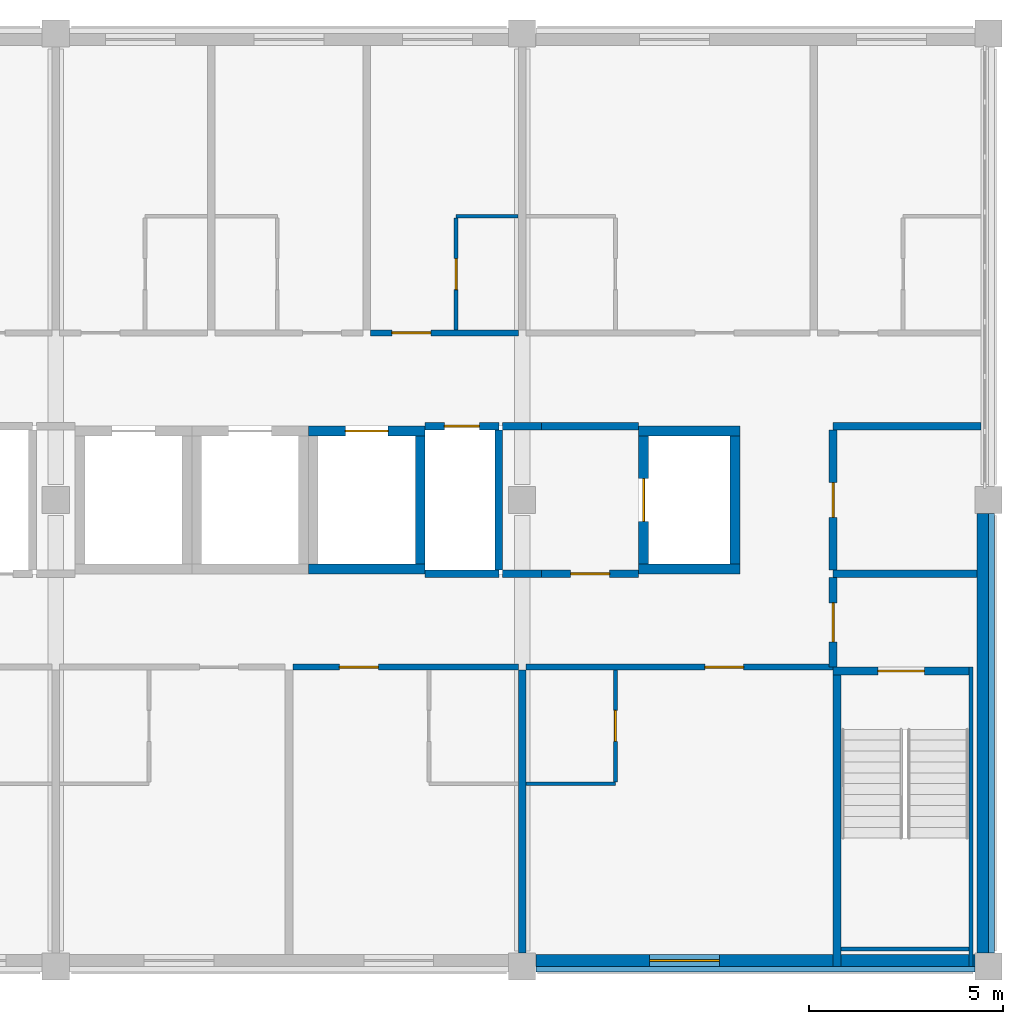
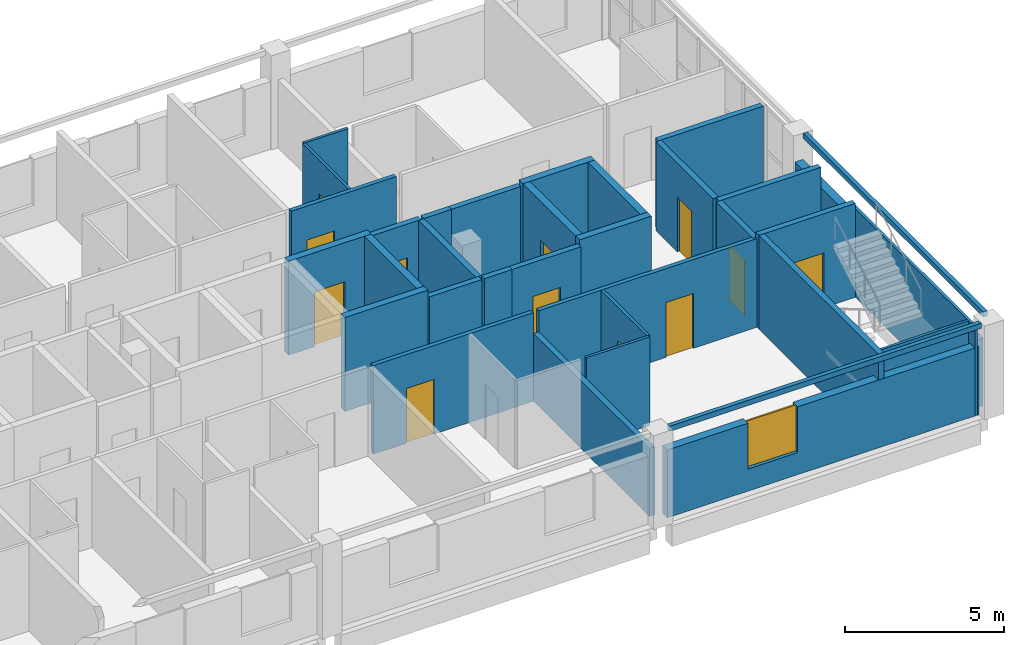
# One storey, part 9 of 11: 34 walls, 12 doors, 1 window, 13 openings.
"""IFC4 building model written with IfcOpenShell, lengths in metres."""

from ifc_helpers import new_model, si_unit, direction, frame, frame_2d, origin, place, context, subcontext, project, spatial, rectangle, extrude, material, layer, layer_set, type_object, element, fill, save


model = new_model("IFC4")

# Units and contexts
model_context = context("Model", 3, precision=1e-05, world=origin(), true_north=direction((0.0, 1.0)))
body_context = subcontext(model_context, "Body", "Model", "MODEL_VIEW")
ifc_project = project(units=[si_unit("LENGTHUNIT", "METRE"), si_unit("AREAUNIT", "SQUARE_METRE"), si_unit("VOLUMEUNIT", "CUBIC_METRE"), si_unit("PLANEANGLEUNIT", "RADIAN"), si_unit("MASSUNIT", "GRAM", prefix="KILO")], contexts=[model_context])

# Site, building, storey
site_placement = place(None, origin())
site = spatial("IfcSite", under=ifc_project, at=site_placement, CompositionType="ELEMENT")
building_placement = place(site_placement, origin())
building = spatial("IfcBuilding", under=site, at=building_placement, Name="Lilac Gate Convention Centre", CompositionType="ELEMENT")
storey_placement = place(building_placement, frame((0.0, 0.0, 49.800048828125)))
storey = spatial("IfcBuildingStorey", under=building, at=storey_placement, Name="L12", CompositionType="ELEMENT", Elevation=49.800048828125)

# Walls
ifc_material_1 = material(Name="Concrete C50", Category="concrete")
ifc_layer_1 = layer(ifc_material_1, 0.10009765625)
ifc_layer_set_1 = layer_set([ifc_layer_1], Name="Concrete C50")
wall_type_1 = type_object("IfcWallType", Name="Core wall 100 C50", PredefinedType="SHEAR", material=ifc_layer_set_1)
wall_1_placement = place(storey_placement, frame((89.550048828125, 229.699951171875, 0.0), z_axis=(0.0, 0.0, 1.0), x_axis=(0.0, -1.0, 0.0)))
element("IfcWall", 1, at=wall_1_placement, inside=storey, type_object=wall_type_1, Name="CRW9 core wall TS-EX L12 1", PredefinedType="SHEAR", context=body_context, shape_type="SweptSolid", body=[
    extrude(rectangle(XDim=7.699951171875, YDim=0.10009765625, at=frame_2d((3.85009765625, 0.0))), origin(), (0.0, 0.0, 1.0), 3.39990234375),
])
wall_2_placement = place(storey_placement, frame((89.5, 222.449951171875, 0.0), z_axis=(0.0, 0.0, 1.0), x_axis=(-1.0, 0.0, 0.0)))
element("IfcWall", 2, at=wall_2_placement, inside=storey, type_object=wall_type_1, Name="CRW9 core wall TS-EX L12 2", PredefinedType="SHEAR", context=body_context, shape_type="SweptSolid", body=[
    extrude(rectangle(XDim=3.300048828125, YDim=0.10009765625, at=frame_2d((1.64990234375, 0.0))), origin(), (0.0, 0.0, 1.0), 3.39990234375),
])

# Wall, opening, door
ifc_layer_2 = layer(ifc_material_1, 0.199951171875)
ifc_layer_set_2 = layer_set([ifc_layer_2], Name="Concrete C50")
wall_type_2 = type_object("IfcWallType", Name="Core wall 200 C50", PredefinedType="SHEAR", material=ifc_layer_set_2)
wall_3_placement = place(storey_placement, frame((89.5, 229.60009765625, 0.0), z_axis=(0.0, 0.0, 1.0), x_axis=(-1.0, 0.0, 0.0)))
wall_3 = element("IfcWall", 3, at=wall_3_placement, inside=storey, type_object=wall_type_2, Name="CRW6 core wall TS-E L12 1", PredefinedType="SHEAR", context=body_context, shape_type="SweptSolid", body=[
    extrude(rectangle(XDim=3.5, YDim=0.199951171875, at=frame_2d((1.75, 0.0))), origin(), (0.0, 0.0, 1.0), 3.599853515625),
])
opening_1_placement = place(wall_3_placement, frame((1.14990234375, 0.0, 0.0)))
opening_1 = element("IfcOpeningElement", 4, at=opening_1_placement, cuts=wall_3, Name="Opening T10-052", PredefinedType="OPENING", context=body_context, shape_type="SweptSolid", body=[
    extrude(rectangle(XDim=1.199951171875, YDim=2.10009765625, at=frame_2d((0.60009765625, 1.050048828125))), frame((0.0, 0.10986328125, 0.0), z_axis=(0.0, -1.0, 0.0), x_axis=(1.0, 0.0, 0.0)), (0.0, 0.0, 1.0), 0.219970703125),
])
ifc_material_2 = material(Name="Steel Q235B", Category="steel")
door_type_1 = type_object("IfcDoorType", Name="Stair door 1200", OperationType="SINGLE_SWING_LEFT", PredefinedType="DOOR", material=ifc_material_2)
door_1_placement = place(opening_1_placement, origin())
door_1 = element("IfcDoor", 5, at=door_1_placement, inside=storey, type_object=door_type_1, Name="Stair door SE L12", OperationType="SINGLE_SWING_RIGHT", OverallHeight=2.10009765625, OverallWidth=1.199951171875, PredefinedType="DOOR", context=body_context, shape_type="SweptSolid", body=[
    extrude(rectangle(XDim=1.199951171875, YDim=2.10009765625, at=frame_2d((0.60009765625, 1.050048828125))), frame((0.0, 0.02490234375, 0.0), z_axis=(0.0, -1.0, 0.0), x_axis=(1.0, 0.0, 0.0)), (0.0, 0.0, 1.0), 0.050048828125),
])
fill(opening_1, door_1)

# Walls
wall_4_placement = place(storey_placement, frame((86.10009765625, 222.0, 0.0), z_axis=(0.0, 0.0, 1.0), x_axis=(0.0, 1.0, 0.0)))
element("IfcWall", 6, at=wall_4_placement, inside=storey, type_object=wall_type_2, Name="CRW6 core wall TS-E L12 2", PredefinedType="SHEAR", context=body_context, shape_type="SweptSolid", body=[
    extrude(rectangle(XDim=7.5, YDim=0.199951171875, at=frame_2d((3.75, 0.0))), origin(), (0.0, 0.0, 1.0), 3.599853515625),
])
ifc_layer_3 = layer(ifc_material_1, 0.25)
ifc_layer_set_3 = layer_set([ifc_layer_3], Name="Concrete C50")
wall_type_3 = type_object("IfcWallType", Name="Core wall 250 C50", PredefinedType="SHEAR", material=ifc_layer_set_3)
wall_5_placement = place(storey_placement, frame((72.5, 232.22509765625, 0.0), z_axis=(0.0, 0.0, 1.0), x_axis=(1.0, 0.0, 0.0)))
element("IfcWall", 7, at=wall_5_placement, inside=storey, type_object=wall_type_3, Name="CRW4 core wall TC L12 21", PredefinedType="SHEAR", context=body_context, shape_type="SweptSolid", body=[
    extrude(rectangle(XDim=3.0, YDim=0.25, at=frame_2d((1.5, 0.0))), origin(), (0.0, 0.0, 1.0), 3.599853515625),
])

# Wall, opening, door
wall_6_placement = place(storey_placement, frame((72.5, 235.77490234375, 0.0), z_axis=(0.0, 0.0, 1.0), x_axis=(1.0, 0.0, 0.0)))
wall_6 = element("IfcWall", 8, at=wall_6_placement, inside=storey, type_object=wall_type_3, Name="CRW4 core wall TC L12 22", PredefinedType="SHEAR", context=body_context, shape_type="SweptSolid", body=[
    extrude(rectangle(XDim=3.0, YDim=0.25, at=frame_2d((1.5, 0.0))), origin(), (0.0, 0.0, 1.0), 3.599853515625),
])
opening_2_placement = place(wall_6_placement, frame((0.949951171875, 0.0, 0.0)))
opening_2 = element("IfcOpeningElement", 9, at=opening_2_placement, cuts=wall_6, Name="Opening T10-047", PredefinedType="OPENING", context=body_context, shape_type="SweptSolid", body=[
    extrude(rectangle(XDim=1.10009765625, YDim=2.10009765625, at=frame_2d((0.550048828125, 1.050048828125))), frame((0.0, 0.135009765625, 0.0), z_axis=(0.0, -1.0, 0.0), x_axis=(1.0, 0.0, 0.0)), (0.0, 0.0, 1.0), 0.27001953125),
])
ifc_material_3 = material(Name="Stainless steel 304", Category="steel")
door_type_2 = type_object("IfcDoorType", Name="Lift landing door 1100", OperationType="SLIDING_TO_LEFT", PredefinedType="DOOR", material=ifc_material_3)
door_2_placement = place(opening_2_placement, origin())
door_2 = element("IfcDoor", 10, at=door_2_placement, inside=storey, type_object=door_type_2, Name="Lift landing door TP6 L12", OperationType="SLIDING_TO_LEFT", OverallHeight=2.10009765625, OverallWidth=1.10009765625, PredefinedType="DOOR", context=body_context, shape_type="SweptSolid", body=[
    extrude(rectangle(XDim=1.10009765625, YDim=2.10009765625, at=frame_2d((0.550048828125, 1.050048828125))), frame((0.0, 0.02490234375, 0.0), z_axis=(0.0, -1.0, 0.0), x_axis=(1.0, 0.0, 0.0)), (0.0, 0.0, 1.0), 0.050048828125),
])
fill(opening_2, door_2)

# Walls
wall_7_placement = place(storey_placement, frame((75.375, 232.35009765625, 0.0), z_axis=(0.0, 0.0, 1.0), x_axis=(0.0, 1.0, 0.0)))
element("IfcWall", 11, at=wall_7_placement, inside=storey, type_object=wall_type_3, Name="CRW4 core wall TC L12 24", PredefinedType="SHEAR", context=body_context, shape_type="SweptSolid", body=[
    extrude(rectangle(XDim=3.2998046875, YDim=0.25, at=frame_2d((1.64990234375, 0.0))), origin(), (0.0, 0.0, 1.0), 3.599853515625),
])
for number, where, z_axis, x_axis, name in (
    (12, (81.0, 232.22509765625, 0.0), (0.0, 0.0, 1.0), (1.0, 0.0, 0.0), "CRW4 core wall TC L12 33"),
    (13, (81.0, 235.77490234375, 0.0), (0.0, 0.0, 1.0), (1.0, 0.0, 0.0), "CRW4 core wall TC L12 34"),
):
    element("IfcWall", number, at=place(storey_placement, frame(where, z_axis=z_axis, x_axis=x_axis)), inside=storey, type_object=wall_type_3, Name=name, PredefinedType="SHEAR", context=body_context, shape_type="SweptSolid", body=[
        extrude(rectangle(XDim=2.60009765625, YDim=0.25, at=frame_2d((1.300048828125, 0.0))), origin(), (0.0, 0.0, 1.0), 3.599853515625),
    ])

# Wall, opening, door
wall_8_placement = place(storey_placement, frame((81.125, 232.35009765625, 0.0), z_axis=(0.0, 0.0, 1.0), x_axis=(0.0, 1.0, 0.0)))
wall_8 = element("IfcWall", 14, at=wall_8_placement, inside=storey, type_object=wall_type_3, Name="CRW4 core wall TC L12 35", PredefinedType="SHEAR", context=body_context, shape_type="SweptSolid", body=[
    extrude(rectangle(XDim=3.2998046875, YDim=0.25, at=frame_2d((1.64990234375, 0.0))), origin(), (0.0, 0.0, 1.0), 3.599853515625),
])
opening_3_placement = place(wall_8_placement, frame((1.10009765625, 0.0, 0.0)))
opening_3 = element("IfcOpeningElement", 15, at=opening_3_placement, cuts=wall_8, Name="Opening T10-050", PredefinedType="OPENING", context=body_context, shape_type="SweptSolid", body=[
    extrude(rectangle(XDim=1.10009765625, YDim=2.10009765625, at=frame_2d((0.550048828125, 1.050048828125))), frame((0.0, 0.135009765625, 0.0), z_axis=(0.0, -1.0, 0.0), x_axis=(1.0, 0.0, 0.0)), (0.0, 0.0, 1.0), 0.27001953125),
])
door_3_placement = place(opening_3_placement, origin())
door_3 = element("IfcDoor", 16, at=door_3_placement, inside=storey, type_object=door_type_2, Name="Lift landing door TF1 L12", OperationType="SLIDING_TO_LEFT", OverallHeight=2.10009765625, OverallWidth=1.10009765625, PredefinedType="DOOR", context=body_context, shape_type="SweptSolid", body=[
    extrude(rectangle(XDim=1.10009765625, YDim=2.10009765625, at=frame_2d((0.550048828125, 1.050048828125))), frame((0.0, 0.02490234375, 0.0), z_axis=(0.0, -1.0, 0.0), x_axis=(1.0, 0.0, 0.0)), (0.0, 0.0, 1.0), 0.050048828125),
])
fill(opening_3, door_3)

# Wall
wall_9_placement = place(storey_placement, frame((83.47509765625, 232.35009765625, 0.0), z_axis=(0.0, 0.0, 1.0), x_axis=(0.0, 1.0, 0.0)))
element("IfcWall", 17, at=wall_9_placement, inside=storey, type_object=wall_type_3, Name="CRW4 core wall TC L12 36", PredefinedType="SHEAR", context=body_context, shape_type="SweptSolid", body=[
    extrude(rectangle(XDim=3.2998046875, YDim=0.25, at=frame_2d((1.64990234375, 0.0))), origin(), (0.0, 0.0, 1.0), 3.599853515625),
])

# Wall, opening, door
ifc_material_4 = material(Name="Gypsum board on steel stud", Category="steel")
ifc_layer_4 = layer(ifc_material_4, 0.14990234375)
ifc_layer_set_4 = layer_set([ifc_layer_4], Name="Gypsum board on steel stud")
wall_type_4 = type_object("IfcWallType", Name="Corridor wall 150", PredefinedType="PARTITIONING", material=ifc_layer_set_4)
wall_10_placement = place(storey_placement, frame((77.89990234375, 229.699951171875, 0.0), z_axis=(0.0, 0.0, 1.0), x_axis=(-1.0, 0.0, 0.0)))
wall_10 = element("IfcWall", 18, at=wall_10_placement, inside=storey, type_object=wall_type_4, Name="Corridor wall 150 front 1207", PredefinedType="PARTITIONING", context=body_context, shape_type="SweptSolid", body=[
    extrude(rectangle(XDim=5.7998046875, YDim=0.14990234375, at=frame_2d((2.89990234375, 0.0))), origin(), (0.0, 0.0, 1.0), 3.39990234375),
])
opening_4_placement = place(wall_10_placement, frame((3.60009765625, 0.0, 0.0)))
opening_4 = element("IfcOpeningElement", 19, at=opening_4_placement, cuts=wall_10, Name="Opening T10-020", PredefinedType="OPENING", context=body_context, shape_type="SweptSolid", body=[
    extrude(rectangle(XDim=1.0, YDim=2.10009765625, at=frame_2d((0.5, 1.050048828125))), frame((0.0, 0.0849609375, 0.0), z_axis=(0.0, -1.0, 0.0), x_axis=(1.0, 0.0, 0.0)), (0.0, 0.0, 1.0), 0.169921875),
])
ifc_material_5 = material(Name="Timber", Category="wood")
door_type_3 = type_object("IfcDoorType", Name="Guest room entrance door 1000", OperationType="SINGLE_SWING_LEFT", PredefinedType="DOOR", material=ifc_material_5)
door_4_placement = place(opening_4_placement, origin())
door_4 = element("IfcDoor", 20, at=door_4_placement, inside=storey, type_object=door_type_3, Name="Guest room door 1207", OperationType="SINGLE_SWING_LEFT", OverallHeight=2.10009765625, OverallWidth=1.0, PredefinedType="DOOR", context=body_context, shape_type="SweptSolid", body=[
    extrude(rectangle(XDim=1.0, YDim=2.10009765625, at=frame_2d((0.5, 1.050048828125))), frame((0.0, 0.02490234375, 0.0), z_axis=(0.0, -1.0, 0.0), x_axis=(1.0, 0.0, 0.0)), (0.0, 0.0, 1.0), 0.050048828125),
])
fill(opening_4, door_4)

wall_11_placement = place(storey_placement, frame((86.0, 229.699951171875, 0.0), z_axis=(0.0, 0.0, 1.0), x_axis=(-1.0, 0.0, 0.0)))
wall_11 = element("IfcWall", 21, at=wall_11_placement, inside=storey, type_object=wall_type_4, Name="Corridor wall 150 front 1208", PredefinedType="PARTITIONING", context=body_context, shape_type="SweptSolid", body=[
    extrude(rectangle(XDim=7.89990234375, YDim=0.14990234375, at=frame_2d((3.949951171875, 0.0))), origin(), (0.0, 0.0, 1.0), 3.39990234375),
])
opening_5_placement = place(wall_11_placement, frame((2.300048828125, 0.0, 0.0)))
opening_5 = element("IfcOpeningElement", 22, at=opening_5_placement, cuts=wall_11, Name="Opening T10-022", PredefinedType="OPENING", context=body_context, shape_type="SweptSolid", body=[
    extrude(rectangle(XDim=1.0, YDim=2.10009765625, at=frame_2d((0.5, 1.050048828125))), frame((0.0, 0.0849609375, 0.0), z_axis=(0.0, -1.0, 0.0), x_axis=(1.0, 0.0, 0.0)), (0.0, 0.0, 1.0), 0.169921875),
])
door_5_placement = place(opening_5_placement, origin())
door_5 = element("IfcDoor", 23, at=door_5_placement, inside=storey, type_object=door_type_3, Name="Guest room door 1208", OperationType="SINGLE_SWING_RIGHT", OverallHeight=2.10009765625, OverallWidth=1.0, PredefinedType="DOOR", context=body_context, shape_type="SweptSolid", body=[
    extrude(rectangle(XDim=1.0, YDim=2.10009765625, at=frame_2d((0.5, 1.050048828125))), frame((0.0, 0.02490234375, 0.0), z_axis=(0.0, -1.0, 0.0), x_axis=(1.0, 0.0, 0.0)), (0.0, 0.0, 1.0), 0.050048828125),
])
fill(opening_5, door_5)

wall_12_placement = place(storey_placement, frame((74.10009765625, 238.300048828125, 0.0), z_axis=(0.0, 0.0, 1.0), x_axis=(1.0, 0.0, 0.0)))
wall_12 = element("IfcWall", 24, at=wall_12_placement, inside=storey, type_object=wall_type_4, Name="Corridor wall 150 front 1215", PredefinedType="PARTITIONING", context=body_context, shape_type="SweptSolid", body=[
    extrude(rectangle(XDim=3.7998046875, YDim=0.14990234375, at=frame_2d((1.89990234375, 0.0))), origin(), (0.0, 0.0, 1.0), 3.39990234375),
])
opening_6_placement = place(wall_12_placement, frame((0.550048828125, 0.0, 0.0)))
opening_6 = element("IfcOpeningElement", 25, at=opening_6_placement, cuts=wall_12, Name="Opening T10-036", PredefinedType="OPENING", context=body_context, shape_type="SweptSolid", body=[
    extrude(rectangle(XDim=1.0, YDim=2.10009765625, at=frame_2d((0.5, 1.050048828125))), frame((0.0, 0.0849609375, 0.0), z_axis=(0.0, -1.0, 0.0), x_axis=(1.0, 0.0, 0.0)), (0.0, 0.0, 1.0), 0.169921875),
])
door_6_placement = place(opening_6_placement, origin())
door_6 = element("IfcDoor", 26, at=door_6_placement, inside=storey, type_object=door_type_3, Name="Guest room door 1215", OperationType="SINGLE_SWING_LEFT", OverallHeight=2.10009765625, OverallWidth=1.0, PredefinedType="DOOR", context=body_context, shape_type="SweptSolid", body=[
    extrude(rectangle(XDim=1.0, YDim=2.10009765625, at=frame_2d((0.5, 1.050048828125))), frame((0.0, 0.02490234375, 0.0), z_axis=(0.0, -1.0, 0.0), x_axis=(1.0, 0.0, 0.0)), (0.0, 0.0, 1.0), 0.050048828125),
])
fill(opening_6, door_6)

# Wall
ifc_layer_5 = layer(ifc_material_4, 0.10009765625)
ifc_layer_set_5 = layer_set([ifc_layer_5], Name="Gypsum board on steel stud")
wall_type_5 = type_object("IfcWallType", Name="En-suite wall 100", PredefinedType="PARTITIONING", material=ifc_layer_set_5)
wall_13_placement = place(storey_placement, frame((78.10009765625, 226.699951171875, 0.0), z_axis=(0.0, 0.0, 1.0), x_axis=(1.0, 0.0, 0.0)))
element("IfcWall", 27, at=wall_13_placement, inside=storey, type_object=wall_type_5, Name="En-suite wall 100 bath 1208", PredefinedType="PARTITIONING", context=body_context, shape_type="SweptSolid", body=[
    extrude(rectangle(XDim=2.2998046875, YDim=0.10009765625, at=frame_2d((1.14990234375, 0.0))), origin(), (0.0, 0.0, 1.0), 3.39990234375),
])

# Wall, opening, door
wall_14_placement = place(storey_placement, frame((80.39990234375, 229.625, 0.0), z_axis=(0.0, 0.0, 1.0), x_axis=(0.0, -1.0, 0.0)))
wall_14 = element("IfcWall", 28, at=wall_14_placement, inside=storey, type_object=wall_type_5, Name="En-suite wall 100 bath side 1208", PredefinedType="PARTITIONING", context=body_context, shape_type="SweptSolid", body=[
    extrude(rectangle(XDim=2.875, YDim=0.10009765625, at=frame_2d((1.4375, 0.0))), origin(), (0.0, 0.0, 1.0), 3.39990234375),
])
opening_7_placement = place(wall_14_placement, frame((1.03759765625, 0.0, 0.0)))
opening_7 = element("IfcOpeningElement", 29, at=opening_7_placement, cuts=wall_14, Name="Opening T10-023", PredefinedType="OPENING", context=body_context, shape_type="SweptSolid", body=[
    extrude(rectangle(XDim=0.800048828125, YDim=2.10009765625, at=frame_2d((0.39990234375, 1.050048828125))), frame((0.0, 0.06005859375, 0.0), z_axis=(0.0, -1.0, 0.0), x_axis=(1.0, 0.0, 0.0)), (0.0, 0.0, 1.0), 0.1201171875),
])
door_type_4 = type_object("IfcDoorType", Name="En-suite door 800", OperationType="SINGLE_SWING_LEFT", PredefinedType="DOOR", material=ifc_material_5)
door_7_placement = place(opening_7_placement, origin())
door_7 = element("IfcDoor", 30, at=door_7_placement, inside=storey, type_object=door_type_4, Name="En-suite door 1208", OperationType="SINGLE_SWING_LEFT", OverallHeight=2.10009765625, OverallWidth=0.800048828125, PredefinedType="DOOR", context=body_context, shape_type="SweptSolid", body=[
    extrude(rectangle(XDim=0.800048828125, YDim=2.10009765625, at=frame_2d((0.39990234375, 1.050048828125))), frame((0.0, 0.02490234375, 0.0), z_axis=(0.0, -1.0, 0.0), x_axis=(1.0, 0.0, 0.0)), (0.0, 0.0, 1.0), 0.050048828125),
])
fill(opening_7, door_7)

# Wall
wall_15_placement = place(storey_placement, frame((76.300048828125, 241.300048828125, 0.0), z_axis=(0.0, 0.0, 1.0), x_axis=(1.0, 0.0, 0.0)))
element("IfcWall", 31, at=wall_15_placement, inside=storey, type_object=wall_type_5, Name="En-suite wall 100 bath 1215", PredefinedType="PARTITIONING", context=body_context, shape_type="SweptSolid", body=[
    extrude(rectangle(XDim=1.599853515625, YDim=0.10009765625, at=frame_2d((0.7998046875, 0.0))), origin(), (0.0, 0.0, 1.0), 3.39990234375),
])

# Wall, opening, door
wall_16_placement = place(storey_placement, frame((76.300048828125, 238.375, 0.0), z_axis=(0.0, 0.0, 1.0), x_axis=(0.0, 1.0, 0.0)))
wall_16 = element("IfcWall", 32, at=wall_16_placement, inside=storey, type_object=wall_type_5, Name="En-suite wall 100 bath side 1215", PredefinedType="PARTITIONING", context=body_context, shape_type="SweptSolid", body=[
    extrude(rectangle(XDim=2.875, YDim=0.10009765625, at=frame_2d((1.4375, 0.0))), origin(), (0.0, 0.0, 1.0), 3.39990234375),
])
opening_8_placement = place(wall_16_placement, frame((1.03759765625, 0.0, 0.0)))
opening_8 = element("IfcOpeningElement", 33, at=opening_8_placement, cuts=wall_16, Name="Opening T10-037", PredefinedType="OPENING", context=body_context, shape_type="SweptSolid", body=[
    extrude(rectangle(XDim=0.800048828125, YDim=2.10009765625, at=frame_2d((0.39990234375, 1.050048828125))), frame((0.0, 0.06005859375, 0.0), z_axis=(0.0, -1.0, 0.0), x_axis=(1.0, 0.0, 0.0)), (0.0, 0.0, 1.0), 0.1201171875),
])
door_8_placement = place(opening_8_placement, origin())
door_8 = element("IfcDoor", 34, at=door_8_placement, inside=storey, type_object=door_type_4, Name="En-suite door 1215", OperationType="SINGLE_SWING_LEFT", OverallHeight=2.10009765625, OverallWidth=0.800048828125, PredefinedType="DOOR", context=body_context, shape_type="SweptSolid", body=[
    extrude(rectangle(XDim=0.800048828125, YDim=2.10009765625, at=frame_2d((0.39990234375, 1.050048828125))), frame((0.0, 0.02490234375, 0.0), z_axis=(0.0, -1.0, 0.0), x_axis=(1.0, 0.0, 0.0)), (0.0, 0.0, 1.0), 0.050048828125),
])
fill(opening_8, door_8)

# Wall
ifc_layer_6 = layer(ifc_material_4, 0.199951171875)
ifc_layer_set_6 = layer_set([ifc_layer_6], Name="Gypsum board on steel stud")
wall_type_6 = type_object("IfcWallType", Name="Guest room party wall 200", PredefinedType="PARTITIONING", material=ifc_layer_set_6)
wall_17_placement = place(storey_placement, frame((78.0, 222.35009765625, 0.0), z_axis=(0.0, 0.0, 1.0), x_axis=(0.0, 1.0, 0.0)))
element("IfcWall", 35, at=wall_17_placement, inside=storey, type_object=wall_type_6, Name="Guest room party wall 200 party 78.0", PredefinedType="PARTITIONING", context=body_context, shape_type="SweptSolid", body=[
    extrude(rectangle(XDim=7.27490234375, YDim=0.199951171875, at=frame_2d((3.637451171875, 0.0))), origin(), (0.0, 0.0, 1.0), 2.599853515625),
])

# Wall, opening, door
ifc_layer_7 = layer(ifc_material_4, 0.199951171875)
ifc_layer_set_7 = layer_set([ifc_layer_7], Name="Gypsum board on steel stud")
wall_type_7 = type_object("IfcWallType", Name="Lobby wall 200", PredefinedType="PARTITIONING", material=ifc_layer_set_7)
wall_18_placement = place(storey_placement, frame((78.5, 232.10009765625, 0.0), z_axis=(0.0, 0.0, 1.0), x_axis=(1.0, 0.0, 0.0)))
wall_18 = element("IfcWall", 36, at=wall_18_placement, inside=storey, type_object=wall_type_7, Name="Lobby wall 200 FFL-S", PredefinedType="PARTITIONING", context=body_context, shape_type="SweptSolid", body=[
    extrude(rectangle(XDim=2.5, YDim=0.199951171875, at=frame_2d((1.25, 0.0))), origin(), (0.0, 0.0, 1.0), 3.39990234375),
])
opening_9_placement = place(wall_18_placement, frame((0.75, 0.0, 0.0)))
opening_9 = element("IfcOpeningElement", 37, at=opening_9_placement, cuts=wall_18, Name="Opening T10-004", PredefinedType="OPENING", context=body_context, shape_type="SweptSolid", body=[
    extrude(rectangle(XDim=1.0, YDim=2.10009765625, at=frame_2d((0.5, 1.050048828125))), frame((0.0, 0.10986328125, 0.0), z_axis=(0.0, -1.0, 0.0), x_axis=(1.0, 0.0, 0.0)), (0.0, 0.0, 1.0), 0.219970703125),
])
door_type_5 = type_object("IfcDoorType", Name="Lobby door 1000", OperationType="SINGLE_SWING_LEFT", PredefinedType="DOOR", material=ifc_material_2)
door_9_placement = place(opening_9_placement, origin())
door_9 = element("IfcDoor", 38, at=door_9_placement, inside=storey, type_object=door_type_5, Name="Firefighting lobby door", OperationType="SINGLE_SWING_RIGHT", OverallHeight=2.10009765625, OverallWidth=1.0, PredefinedType="DOOR", context=body_context, shape_type="SweptSolid", body=[
    extrude(rectangle(XDim=1.0, YDim=2.10009765625, at=frame_2d((0.5, 1.050048828125))), frame((0.0, 0.02490234375, 0.0), z_axis=(0.0, -1.0, 0.0), x_axis=(1.0, 0.0, 0.0)), (0.0, 0.0, 1.0), 0.050048828125),
])
fill(opening_9, door_9)

# Walls
wall_19_placement = place(storey_placement, frame((86.0, 232.10009765625, 0.0), z_axis=(0.0, 0.0, 1.0), x_axis=(1.0, 0.0, 0.0)))
element("IfcWall", 39, at=wall_19_placement, inside=storey, type_object=wall_type_7, Name="Lobby wall 200 STL-N", PredefinedType="PARTITIONING", context=body_context, shape_type="SweptSolid", body=[
    extrude(rectangle(XDim=3.7001953125, YDim=0.199951171875, at=frame_2d((1.85009765625, 0.0))), origin(), (0.0, 0.0, 1.0), 3.39990234375),
])
wall_20_placement = place(storey_placement, frame((78.5, 235.89990234375, 0.0), z_axis=(0.0, 0.0, 1.0), x_axis=(1.0, 0.0, 0.0)))
element("IfcWall", 40, at=wall_20_placement, inside=storey, type_object=wall_type_7, Name="Lobby wall 200 FFL-N", PredefinedType="PARTITIONING", context=body_context, shape_type="SweptSolid", body=[
    extrude(rectangle(XDim=2.5, YDim=0.199951171875, at=frame_2d((1.25, 0.0))), origin(), (0.0, 0.0, 1.0), 3.39990234375),
])

# Wall, opening, door
wall_21_placement = place(storey_placement, frame((86.0, 232.0, 0.0), z_axis=(0.0, 0.0, 1.0), x_axis=(0.0, -1.0, 0.0)))
wall_21 = element("IfcWall", 41, at=wall_21_placement, inside=storey, type_object=wall_type_7, Name="Lobby wall 200 STL-SE-W", PredefinedType="PARTITIONING", context=body_context, shape_type="SweptSolid", body=[
    extrude(rectangle(XDim=2.300048828125, YDim=0.199951171875, at=frame_2d((1.14990234375, 0.0))), origin(), (0.0, 0.0, 1.0), 3.39990234375),
])
opening_10_placement = place(wall_21_placement, frame((0.64990234375, 0.0, 0.0)))
opening_10 = element("IfcOpeningElement", 42, at=opening_10_placement, cuts=wall_21, Name="Opening T10-007", PredefinedType="OPENING", context=body_context, shape_type="SweptSolid", body=[
    extrude(rectangle(XDim=1.0, YDim=2.10009765625, at=frame_2d((0.5, 1.050048828125))), frame((0.0, 0.10986328125, 0.0), z_axis=(0.0, -1.0, 0.0), x_axis=(1.0, 0.0, 0.0)), (0.0, 0.0, 1.0), 0.219970703125),
])
door_10_placement = place(opening_10_placement, origin())
door_10 = element("IfcDoor", 43, at=door_10_placement, inside=storey, type_object=door_type_5, Name="Stair lobby door SE", OperationType="SINGLE_SWING_LEFT", OverallHeight=2.10009765625, OverallWidth=1.0, PredefinedType="DOOR", context=body_context, shape_type="SweptSolid", body=[
    extrude(rectangle(XDim=1.0, YDim=2.10009765625, at=frame_2d((0.5, 1.050048828125))), frame((0.0, 0.02490234375, 0.0), z_axis=(0.0, -1.0, 0.0), x_axis=(1.0, 0.0, 0.0)), (0.0, 0.0, 1.0), 0.050048828125),
])
fill(opening_10, door_10)

# Walls
ifc_material_6 = material(Name="Concrete C40 precast", Category="concrete")
ifc_layer_8 = layer(ifc_material_6, 0.1298828125)
ifc_material_7 = material(Name="Teal glazed cladding")
ifc_layer_9 = layer(ifc_material_7, 0.02001953125)
ifc_layer_set_8 = layer_set([ifc_layer_8, ifc_layer_9], Name="Concrete C40 precast, Teal glazed cladding")
wall_type_8 = type_object("IfcWallType", Name="Precast band teal 150", PredefinedType="STANDARD", material=ifc_layer_set_8)
for number, where, z_axis, x_axis, name in (
    (44, (78.35009765625, 221.925048828125, 3.39990234375), (0.0, 0.0, 1.0), (1.0, 0.0, 0.0), "Precast band S L12 4"),
    (45, (90.074951171875, 222.35009765625, 3.39990234375), (0.0, 0.0, 1.0), (0.0, 1.0, 0.0), "Precast band E L12 1"),
):
    element("IfcWall", number, at=place(storey_placement, frame(where, z_axis=z_axis, x_axis=x_axis)), inside=storey, type_object=wall_type_8, Name=name, PredefinedType="STANDARD", context=body_context, shape_type="SweptSolid", body=[
        extrude(rectangle(XDim=11.2998046875, YDim=0.14990234375, at=frame_2d((5.64990234375, 0.0))), origin(), (0.0, 0.0, 1.0), 0.199951171875),
    ])

# Wall, opening, window
ifc_material_8 = material(Name="Ochre mineral render")
ifc_layer_10 = layer(ifc_material_8, 0.02001953125)
ifc_layer_11 = layer(ifc_material_6, 0.06005859375)
ifc_material_9 = material(Name="Ventilated air cavity")
ifc_layer_12 = layer(ifc_material_9, 0.030029296875)
ifc_material_10 = material(Name="Mineral wool insulation")
ifc_layer_13 = layer(ifc_material_10, 0.1201171875)
ifc_material_11 = material(Name="Steel stud Q345 and gypsum lining", Category="steel")
ifc_layer_14 = layer(ifc_material_11, 0.070068359375)
ifc_layer_set_9 = layer_set([ifc_layer_10, ifc_layer_11, ifc_layer_12, ifc_layer_13, ifc_layer_14], Name="Ochre mineral render, Concrete C40 precast, Ventilated air cavity, Mineral wool insulation, Steel stud Q345 and gypsum lining")
wall_type_9 = type_object("IfcWallType", Name="Precast panel wall ochre 300", PredefinedType="STANDARD", material=ifc_layer_set_9)
wall_22_placement = place(storey_placement, frame((78.35009765625, 222.14990234375, 0.0), z_axis=(0.0, 0.0, 1.0), x_axis=(1.0, 0.0, 0.0)))
wall_22 = element("IfcWall", 46, at=wall_22_placement, inside=storey, type_object=wall_type_9, Name="External wall S L12 4", PredefinedType="STANDARD", context=body_context, shape_type="SweptSolid", body=[
    extrude(rectangle(XDim=11.2998046875, YDim=0.300048828125, at=frame_2d((5.64990234375, 0.0))), origin(), (0.0, 0.0, 1.0), 2.599853515625),
])
opening_11_placement = place(wall_22_placement, frame((2.925048828125, 0.0, 0.85009765625)))
opening_11 = element("IfcOpeningElement", 47, at=opening_11_placement, cuts=wall_22, Name="Opening W1", PredefinedType="OPENING", context=body_context, shape_type="SweptSolid", body=[
    extrude(rectangle(XDim=1.800048828125, YDim=1.75, at=frame_2d((0.89990234375, 0.875))), frame((0.0, 0.159912109375, 0.0), z_axis=(0.0, -1.0, 0.0), x_axis=(1.0, 0.0, 0.0)), (0.0, 0.0, 1.0), 0.320068359375),
])
ifc_material_12 = material(Name="Aluminium framed double glazing", Category="aluminium")
window_type = type_object("IfcWindowType", Name="Guest room window 1800 x 1750", PartitioningType="DOUBLE_PANEL_VERTICAL", PredefinedType="WINDOW", material=ifc_material_12)
window_placement = place(opening_11_placement, origin())
window = element("IfcWindow", 48, at=window_placement, inside=storey, type_object=window_type, Name="Window Guest S L12", OverallHeight=1.75, OverallWidth=1.800048828125, PartitioningType="SINGLE_PANEL", PredefinedType="WINDOW", context=body_context, shape_type="SweptSolid", body=[
    extrude(rectangle(XDim=1.800048828125, YDim=1.75, at=frame_2d((0.89990234375, 0.875))), frame((0.0, 0.030029296875, 0.0), z_axis=(0.0, -1.0, 0.0), x_axis=(1.0, 0.0, 0.0)), (0.0, 0.0, 1.0), 0.06005859375),
])
fill(opening_11, window)

# Walls
wall_23_placement = place(storey_placement, frame((89.85009765625, 222.35009765625, 0.0), z_axis=(0.0, 0.0, 1.0), x_axis=(0.0, 1.0, 0.0)))
element("IfcWall", 49, at=wall_23_placement, inside=storey, type_object=wall_type_9, Name="External wall E L12 1", PredefinedType="STANDARD", context=body_context, shape_type="SweptSolid", body=[
    extrude(rectangle(XDim=11.2998046875, YDim=0.300048828125, at=frame_2d((5.64990234375, 0.0))), origin(), (0.0, 0.0, 1.0), 2.599853515625),
])
ifc_layer_15 = layer(ifc_material_4, 0.199951171875)
ifc_layer_set_10 = layer_set([ifc_layer_15], Name="Gypsum board on steel stud")
wall_type_10 = type_object("IfcWallType", Name="Riser and store wall 200", PredefinedType="PARTITIONING", material=ifc_layer_set_10)
wall_24_placement = place(storey_placement, frame((75.5, 232.10009765625, 0.0), z_axis=(0.0, 0.0, 1.0), x_axis=(1.0, 0.0, 0.0)))
element("IfcWall", 50, at=wall_24_placement, inside=storey, type_object=wall_type_10, Name="Riser and store wall 200 RS2-S", PredefinedType="PARTITIONING", context=body_context, shape_type="SweptSolid", body=[
    extrude(rectangle(XDim=1.89990234375, YDim=0.199951171875, at=frame_2d((0.949951171875, 0.0))), origin(), (0.0, 0.0, 1.0), 3.39990234375),
])
wall_25_placement = place(storey_placement, frame((77.5, 232.10009765625, 0.0), z_axis=(0.0, 0.0, 1.0), x_axis=(1.0, 0.0, 0.0)))
element("IfcWall", 51, at=wall_25_placement, inside=storey, type_object=wall_type_10, Name="Riser and store wall 200 NICHE3-S", PredefinedType="PARTITIONING", context=body_context, shape_type="SweptSolid", body=[
    extrude(rectangle(XDim=1.0, YDim=0.199951171875, at=frame_2d((0.5, 0.0))), origin(), (0.0, 0.0, 1.0), 3.39990234375),
])

# Wall, opening, door
wall_26_placement = place(storey_placement, frame((77.39990234375, 235.89990234375, 0.0), z_axis=(0.0, 0.0, 1.0), x_axis=(-1.0, 0.0, 0.0)))
wall_26 = element("IfcWall", 52, at=wall_26_placement, inside=storey, type_object=wall_type_10, Name="Riser and store wall 200 RS2-N", PredefinedType="PARTITIONING", context=body_context, shape_type="SweptSolid", body=[
    extrude(rectangle(XDim=1.89990234375, YDim=0.199951171875, at=frame_2d((0.949951171875, 0.0))), origin(), (0.0, 0.0, 1.0), 3.39990234375),
])
opening_12_placement = place(wall_26_placement, frame((0.5, 0.0, 0.0)))
opening_12 = element("IfcOpeningElement", 53, at=opening_12_placement, cuts=wall_26, Name="Opening T10-003", PredefinedType="OPENING", context=body_context, shape_type="SweptSolid", body=[
    extrude(rectangle(XDim=0.89990234375, YDim=2.10009765625, at=frame_2d((0.449951171875, 1.050048828125))), frame((0.0, 0.10986328125, 0.0), z_axis=(0.0, -1.0, 0.0), x_axis=(1.0, 0.0, 0.0)), (0.0, 0.0, 1.0), 0.219970703125),
])
door_type_6 = type_object("IfcDoorType", Name="Riser and store door 900", OperationType="SINGLE_SWING_LEFT", PredefinedType="DOOR", material=ifc_material_2)
door_11_placement = place(opening_12_placement, origin())
door_11 = element("IfcDoor", 54, at=door_11_placement, inside=storey, type_object=door_type_6, Name="Riser room door", OperationType="SINGLE_SWING_LEFT", OverallHeight=2.10009765625, OverallWidth=0.89990234375, PredefinedType="DOOR", context=body_context, shape_type="SweptSolid", body=[
    extrude(rectangle(XDim=0.89990234375, YDim=2.10009765625, at=frame_2d((0.449951171875, 1.050048828125))), frame((0.0, 0.02490234375, 0.0), z_axis=(0.0, -1.0, 0.0), x_axis=(1.0, 0.0, 0.0)), (0.0, 0.0, 1.0), 0.050048828125),
])
fill(opening_12, door_11)

# Walls
wall_27_placement = place(storey_placement, frame((77.5, 235.89990234375, 0.0), z_axis=(0.0, 0.0, 1.0), x_axis=(1.0, 0.0, 0.0)))
element("IfcWall", 55, at=wall_27_placement, inside=storey, type_object=wall_type_10, Name="Riser and store wall 200 NICHE3-N", PredefinedType="PARTITIONING", context=body_context, shape_type="SweptSolid", body=[
    extrude(rectangle(XDim=1.0, YDim=0.199951171875, at=frame_2d((0.5, 0.0))), origin(), (0.0, 0.0, 1.0), 3.39990234375),
])
wall_28_placement = place(storey_placement, frame((86.0, 235.89990234375, 0.0), z_axis=(0.0, 0.0, 1.0), x_axis=(1.0, 0.0, 0.0)))
element("IfcWall", 56, at=wall_28_placement, inside=storey, type_object=wall_type_10, Name="Riser and store wall 200 STE-N", PredefinedType="PARTITIONING", context=body_context, shape_type="SweptSolid", body=[
    extrude(rectangle(XDim=3.7998046875, YDim=0.199951171875, at=frame_2d((1.89990234375, 0.0))), origin(), (0.0, 0.0, 1.0), 3.39990234375),
])
wall_29_placement = place(storey_placement, frame((77.39990234375, 232.199951171875, 0.0), z_axis=(0.0, 0.0, 1.0), x_axis=(0.0, 1.0, 0.0)))
element("IfcWall", 57, at=wall_29_placement, inside=storey, type_object=wall_type_10, Name="Riser and store wall 200 RS2-E", PredefinedType="PARTITIONING", context=body_context, shape_type="SweptSolid", body=[
    extrude(rectangle(XDim=3.60009765625, YDim=0.199951171875, at=frame_2d((1.800048828125, 0.0))), origin(), (0.0, 0.0, 1.0), 3.39990234375),
])

# Wall, opening, door
wall_30_placement = place(storey_placement, frame((86.0, 235.800048828125, 0.0), z_axis=(0.0, 0.0, 1.0), x_axis=(0.0, -1.0, 0.0)))
wall_30 = element("IfcWall", 58, at=wall_30_placement, inside=storey, type_object=wall_type_10, Name="Riser and store wall 200 STE-W", PredefinedType="PARTITIONING", context=body_context, shape_type="SweptSolid", body=[
    extrude(rectangle(XDim=3.60009765625, YDim=0.199951171875, at=frame_2d((1.800048828125, 0.0))), origin(), (0.0, 0.0, 1.0), 3.39990234375),
])
opening_13_placement = place(wall_30_placement, frame((1.35009765625, 0.0, 0.0)))
opening_13 = element("IfcOpeningElement", 59, at=opening_13_placement, cuts=wall_30, Name="Opening T10-005", PredefinedType="OPENING", context=body_context, shape_type="SweptSolid", body=[
    extrude(rectangle(XDim=0.89990234375, YDim=2.10009765625, at=frame_2d((0.449951171875, 1.050048828125))), frame((0.0, 0.10986328125, 0.0), z_axis=(0.0, -1.0, 0.0), x_axis=(1.0, 0.0, 0.0)), (0.0, 0.0, 1.0), 0.219970703125),
])
door_12_placement = place(opening_13_placement, origin())
door_12 = element("IfcDoor", 60, at=door_12_placement, inside=storey, type_object=door_type_6, Name="Linen store door", OperationType="SINGLE_SWING_LEFT", OverallHeight=2.10009765625, OverallWidth=0.89990234375, PredefinedType="DOOR", context=body_context, shape_type="SweptSolid", body=[
    extrude(rectangle(XDim=0.89990234375, YDim=2.10009765625, at=frame_2d((0.449951171875, 1.050048828125))), frame((0.0, 0.02490234375, 0.0), z_axis=(0.0, -1.0, 0.0), x_axis=(1.0, 0.0, 0.0)), (0.0, 0.0, 1.0), 0.050048828125),
])
fill(opening_13, door_12)

save(model, "model.ifc")
